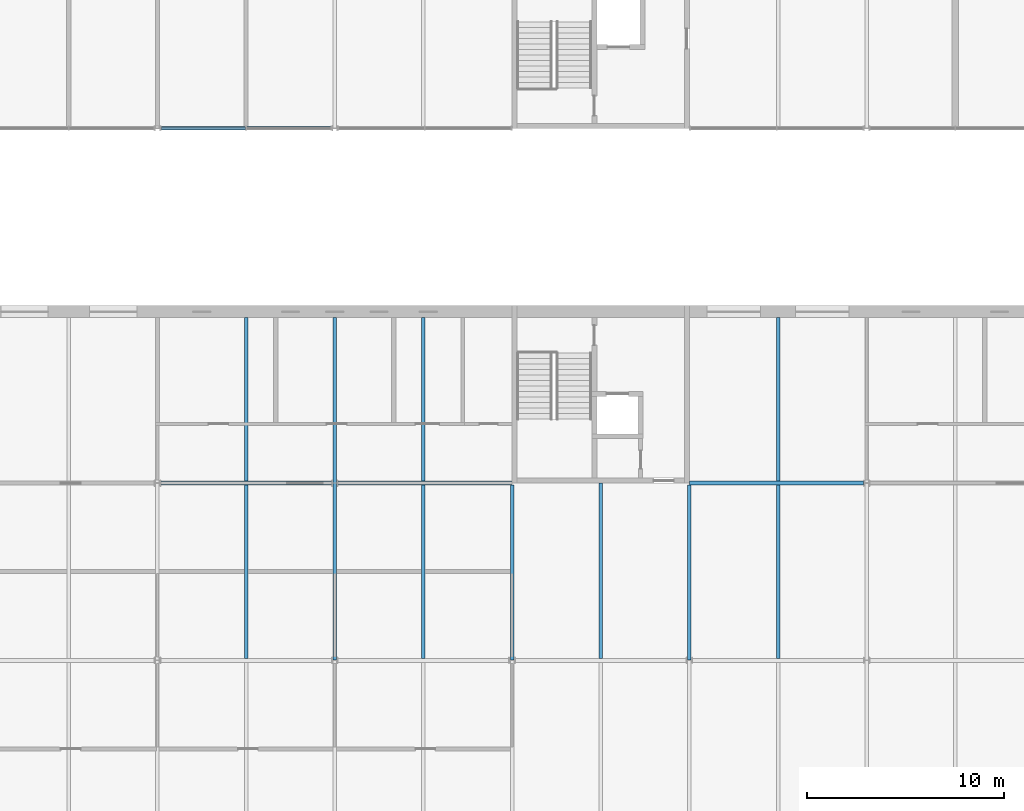
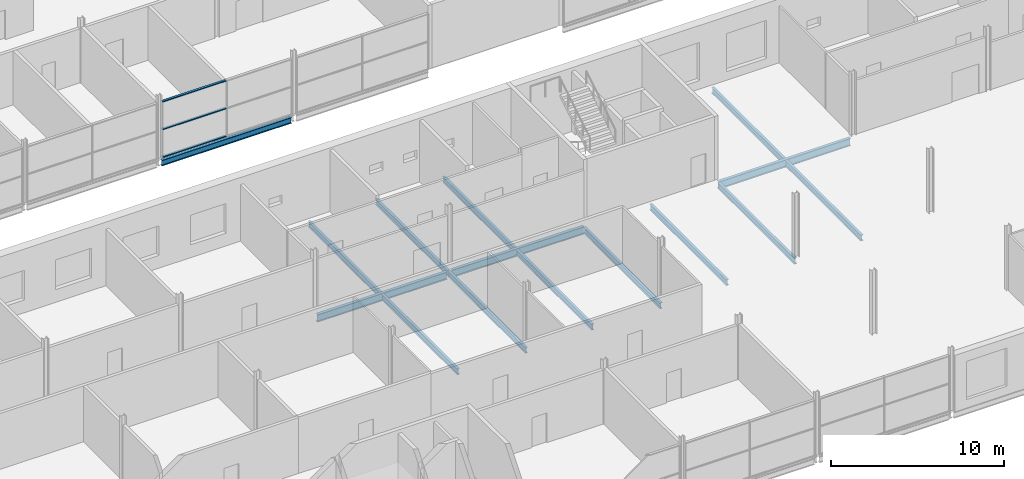
# One storey, part 44 of 97: 15 beams, 3 members, 1 element without a shape of its own.
"""IFC4 building model written with IfcOpenShell, lengths in metres."""

from ifc_helpers import new_model, si_unit, direction, frame, origin, origin_2d, place, context, subcontext, project, spatial, rectangle, i_section, extrude, material, layer, layer_set, material_profile, profile_set, type_object, element, aggregate, save


model = new_model("IFC4")

# Units and contexts
model_context = context("Model", 3, precision=1e-05, world=origin(), true_north=direction((0.0, 1.0)))
body_context = subcontext(model_context, "Body", "Model", "MODEL_VIEW")
ifc_project = project(units=[si_unit("LENGTHUNIT", "METRE"), si_unit("AREAUNIT", "SQUARE_METRE"), si_unit("VOLUMEUNIT", "CUBIC_METRE"), si_unit("PLANEANGLEUNIT", "RADIAN"), si_unit("MASSUNIT", "GRAM", prefix="KILO")], contexts=[model_context])

# Site, building, storey
site_placement = place(None, origin())
site = spatial("IfcSite", under=ifc_project, at=site_placement, CompositionType="ELEMENT")
building_placement = place(site_placement, origin())
building = spatial("IfcBuilding", under=site, at=building_placement, Name="Corbel Yard City Hall", CompositionType="ELEMENT")
storey_placement = place(building_placement, frame((0.0, 0.0, 6.0)))
storey = spatial("IfcBuildingStorey", under=building, at=storey_placement, Name="L01", CompositionType="ELEMENT", Elevation=6.0)

# Beams
ifc_material_1 = material(Name="Steel Grade 300 (300 MPa yield)", Category="steel")
ifc_material_profile_1 = material_profile(ifc_material_1, i_section(OverallWidth=0.177978515625, OverallDepth=0.403076171875, WebThickness=0.007568359375, FlangeThickness=0.010986328125, at=origin_2d()), Name="410UB53.7")
ifc_profile_set_1 = profile_set([ifc_material_profile_1], Name="Steel Grade 300 (300 MPa yield)")
beam_type_1 = type_object("IfcBeamType", Name="Beam 410UB53.7", PredefinedType="BEAM", material=ifc_profile_set_1)
beam_1_placement = place(storey_placement, frame((72.0, 63.0078125, -0.3515625), z_axis=(0.0, 1.0, 0.0), x_axis=(-1.0, 0.0, 0.0)))
element("IfcBeam", 1, at=beam_1_placement, inside=storey, type_object=beam_type_1, Name="Beam 410UB53.7 SB6 L01floor", PredefinedType="BEAM", context=body_context, shape_type="SweptSolid", body=[
    extrude(i_section(OverallWidth=0.177978515625, OverallDepth=0.403076171875, WebThickness=0.007568359375, FlangeThickness=0.010986328125, at=origin_2d()), origin(), (0.0, 0.0, 1.0), 8.984375),
])
beam_2_placement = place(storey_placement, frame((72.0, 72.0078125, -0.3515625), z_axis=(0.0, 1.0, 0.0), x_axis=(-1.0, 0.0, 0.0)))
element("IfcBeam", 2, at=beam_2_placement, inside=storey, type_object=beam_type_1, Name="Beam 410UB53.7 SB6 L01floor", PredefinedType="BEAM", context=body_context, shape_type="SweptSolid", body=[
    extrude(i_section(OverallWidth=0.177978515625, OverallDepth=0.403076171875, WebThickness=0.007568359375, FlangeThickness=0.010986328125, at=origin_2d()), origin(), (0.0, 0.0, 1.0), 8.39208984375),
])
for number, where, z_axis, x_axis, name in (
    (3, (81.0, 63.0078125, -0.3515625), (0.0, 1.0, 0.0), (-1.0, 0.0, 0.0), "Beam 410UB53.7 SB6 L01floor"),
    (4, (90.0, 63.0078125, -0.3515625), (0.0, 1.0, 0.0), (-1.0, 0.0, 0.0), "Beam 410UB53.7 SB6 L01floor"),
):
    element("IfcBeam", number, at=place(storey_placement, frame(where, z_axis=z_axis, x_axis=x_axis)), inside=storey, type_object=beam_type_1, Name=name, PredefinedType="BEAM", context=body_context, shape_type="SweptSolid", body=[
        extrude(i_section(OverallWidth=0.177978515625, OverallDepth=0.403076171875, WebThickness=0.007568359375, FlangeThickness=0.010986328125, at=origin_2d()), origin(), (0.0, 0.0, 1.0), 8.8876953125),
    ])
ifc_material_profile_2 = material_profile(ifc_material_1, i_section(OverallWidth=0.177978515625, OverallDepth=0.406005859375, WebThickness=0.0078125, FlangeThickness=0.0126953125, at=origin_2d()), Name="410UB59.7")
ifc_profile_set_2 = profile_set([ifc_material_profile_2], Name="Steel Grade 300 (300 MPa yield)")
beam_type_2 = type_object("IfcBeamType", Name="Edge beam 410UB59.7", PredefinedType="BEAM", material=ifc_profile_set_2)
beam_3_placement = place(storey_placement, frame((63.157470703125, 90.0, -0.35302734375), z_axis=(1.0, 0.0, 0.0), x_axis=(0.0, 1.0, 0.0)))
element("IfcBeam", 5, at=beam_3_placement, inside=storey, type_object=beam_type_2, Name="Edge beam 410UB59.7 EB2 L01floor", PredefinedType="BEAM", context=body_context, shape_type="SweptSolid", body=[
    extrude(i_section(OverallWidth=0.177978515625, OverallDepth=0.406005859375, WebThickness=0.0078125, FlangeThickness=0.0126953125, at=origin_2d()), origin(), (0.0, 0.0, 1.0), 8.68505859375),
])
ifc_material_profile_3 = material_profile(ifc_material_1, i_section(OverallWidth=0.208984375, OverallDepth=0.528076171875, WebThickness=0.009521484375, FlangeThickness=0.01318359375, at=origin_2d()), Name="530UB82.0")
ifc_profile_set_3 = profile_set([ifc_material_profile_3], Name="Steel Grade 300 (300 MPa yield)")
beam_type_3 = type_object("IfcBeamType", Name="Girder 530UB82.0", PredefinedType="BEAM", material=ifc_profile_set_3)
beam_4_placement = place(storey_placement, frame((63.16357421875, 72.0, -0.4140625), z_axis=(1.0, 0.0, 0.0), x_axis=(0.0, 1.0, 0.0)))
element("IfcBeam", 6, at=beam_4_placement, inside=storey, type_object=beam_type_3, Name="Girder 530UB82.0 GB3 L01floor", PredefinedType="BEAM", context=body_context, shape_type="SweptSolid", body=[
    extrude(i_section(OverallWidth=0.208984375, OverallDepth=0.528076171875, WebThickness=0.009521484375, FlangeThickness=0.01318359375, at=origin_2d()), origin(), (0.0, 0.0, 1.0), 8.6728515625),
])
for number, where, z_axis, x_axis, name in (
    (7, (72.16357421875, 72.0, -0.4140625), (1.0, 0.0, 0.0), (0.0, 1.0, 0.0), "Girder 530UB82.0 GB3 L01floor"),
    (8, (90.0, 72.0, -0.4140625), (1.0, 0.0, 0.0), (0.0, 1.0, 0.0), "Girder 530UB82.0 GB3 L01floor"),
):
    element("IfcBeam", number, at=place(storey_placement, frame(where, z_axis=z_axis, x_axis=x_axis)), inside=storey, type_object=beam_type_3, Name=name, PredefinedType="BEAM", context=body_context, shape_type="SweptSolid", body=[
        extrude(i_section(OverallWidth=0.208984375, OverallDepth=0.528076171875, WebThickness=0.009521484375, FlangeThickness=0.01318359375, at=origin_2d()), origin(), (0.0, 0.0, 1.0), 8.83642578125),
    ])
ifc_material_profile_4 = material_profile(ifc_material_1, i_section(OverallWidth=0.177978515625, OverallDepth=0.403076171875, WebThickness=0.007568359375, FlangeThickness=0.010986328125, at=origin_2d()), Name="410UB53.7")
ifc_profile_set_4 = profile_set([ifc_material_profile_4], Name="Steel Grade 300 (300 MPa yield)")
beam_type_4 = type_object("IfcBeamType", Name="Secondary beam 410UB53.7", PredefinedType="JOIST", material=ifc_profile_set_4)
beam_5_placement = place(storey_placement, frame((67.5, 63.1044921875, -0.3515625), z_axis=(0.0, 1.0, 0.0), x_axis=(-1.0, 0.0, 0.0)))
element("IfcBeam", 9, at=beam_5_placement, inside=storey, type_object=beam_type_4, Name="Secondary beam 410UB53.7 SB5 L01floor", PredefinedType="JOIST", context=body_context, shape_type="SweptSolid", body=[
    extrude(i_section(OverallWidth=0.177978515625, OverallDepth=0.403076171875, WebThickness=0.007568359375, FlangeThickness=0.010986328125, at=origin_2d()), origin(), (0.0, 0.0, 1.0), 8.791015625),
])
beam_6_placement = place(storey_placement, frame((67.5, 72.1044921875, -0.3515625), z_axis=(0.0, 1.0, 0.0), x_axis=(-1.0, 0.0, 0.0)))
element("IfcBeam", 10, at=beam_6_placement, inside=storey, type_object=beam_type_4, Name="Secondary beam 410UB53.7 SB5 L01floor", PredefinedType="JOIST", context=body_context, shape_type="SweptSolid", body=[
    extrude(i_section(OverallWidth=0.177978515625, OverallDepth=0.403076171875, WebThickness=0.007568359375, FlangeThickness=0.010986328125, at=origin_2d()), origin(), (0.0, 0.0, 1.0), 8.29541015625),
])
beam_7_placement = place(storey_placement, frame((76.5, 63.1044921875, -0.3515625), z_axis=(0.0, 1.0, 0.0), x_axis=(-1.0, 0.0, 0.0)))
element("IfcBeam", 11, at=beam_7_placement, inside=storey, type_object=beam_type_4, Name="Secondary beam 410UB53.7 SB5 L01floor", PredefinedType="JOIST", context=body_context, shape_type="SweptSolid", body=[
    extrude(i_section(OverallWidth=0.177978515625, OverallDepth=0.403076171875, WebThickness=0.007568359375, FlangeThickness=0.010986328125, at=origin_2d()), origin(), (0.0, 0.0, 1.0), 8.791015625),
])
beam_8_placement = place(storey_placement, frame((76.5, 72.1044921875, -0.3515625), z_axis=(0.0, 1.0, 0.0), x_axis=(-1.0, 0.0, 0.0)))
element("IfcBeam", 12, at=beam_8_placement, inside=storey, type_object=beam_type_4, Name="Secondary beam 410UB53.7 SB5 L01floor", PredefinedType="JOIST", context=body_context, shape_type="SweptSolid", body=[
    extrude(i_section(OverallWidth=0.177978515625, OverallDepth=0.403076171875, WebThickness=0.007568359375, FlangeThickness=0.010986328125, at=origin_2d()), origin(), (0.0, 0.0, 1.0), 8.29541015625),
])
beam_9_placement = place(storey_placement, frame((85.5, 63.1044921875, -0.3515625), z_axis=(0.0, 1.0, 0.0), x_axis=(-1.0, 0.0, 0.0)))
element("IfcBeam", 13, at=beam_9_placement, inside=storey, type_object=beam_type_4, Name="Secondary beam 410UB53.7 SB5 L01floor", PredefinedType="JOIST", context=body_context, shape_type="SweptSolid", body=[
    extrude(i_section(OverallWidth=0.177978515625, OverallDepth=0.403076171875, WebThickness=0.007568359375, FlangeThickness=0.010986328125, at=origin_2d()), origin(), (0.0, 0.0, 1.0), 8.8955078125),
])
beam_10_placement = place(storey_placement, frame((94.5, 63.1044921875, -0.3515625), z_axis=(0.0, 1.0, 0.0), x_axis=(-1.0, 0.0, 0.0)))
element("IfcBeam", 14, at=beam_10_placement, inside=storey, type_object=beam_type_4, Name="Secondary beam 410UB53.7 SB5 L01floor", PredefinedType="JOIST", context=body_context, shape_type="SweptSolid", body=[
    extrude(i_section(OverallWidth=0.177978515625, OverallDepth=0.403076171875, WebThickness=0.007568359375, FlangeThickness=0.010986328125, at=origin_2d()), origin(), (0.0, 0.0, 1.0), 8.791015625),
])
beam_11_placement = place(storey_placement, frame((94.5, 72.1044921875, -0.3515625), z_axis=(0.0, 1.0, 0.0), x_axis=(-1.0, 0.0, 0.0)))
element("IfcBeam", 15, at=beam_11_placement, inside=storey, type_object=beam_type_4, Name="Secondary beam 410UB53.7 SB5 L01floor", PredefinedType="JOIST", context=body_context, shape_type="SweptSolid", body=[
    extrude(i_section(OverallWidth=0.177978515625, OverallDepth=0.403076171875, WebThickness=0.007568359375, FlangeThickness=0.010986328125, at=origin_2d()), origin(), (0.0, 0.0, 1.0), 8.29541015625),
])

# Curtain wall, members
ifc_material_2 = material(Name="Aluminium extrusion", Category="aluminium")
ifc_layer = layer(ifc_material_2, 0.199951171875)
ifc_layer_set = layer_set([ifc_layer], Name="Aluminium extrusion")
curtain_wall_type = type_object("IfcCurtainWallType", Name="CW1", PredefinedType="USERDEFINED", material=ifc_layer_set)
curtain_wall_placement = place(storey_placement, origin())
curtain_wall = element("IfcCurtainWall", 16, at=curtain_wall_placement, inside=storey, type_object=curtain_wall_type, Name="Curtain wall CW1 L01", ObjectType="CURTAIN WALL", PredefinedType="USERDEFINED")
ifc_material_profile_5 = material_profile(ifc_material_2, rectangle(XDim=0.14990234375, YDim=0.06494140625, at=origin_2d()), Name="150x65")
ifc_profile_set_5 = profile_set([ifc_material_profile_5], Name="Aluminium extrusion")
member_type = type_object("IfcMemberType", Name="TR1", PredefinedType="USERDEFINED", material=ifc_profile_set_5)
member_1_placement = place(storey_placement, frame((63.195068359375, 90.0, 0.032470703125), z_axis=(1.0, 0.0, 0.0), x_axis=(0.0, 1.0, 0.0)))
member_1 = element("IfcMember", 17, at=member_1_placement, type_object=member_type, Name="CW1 transom 1.1", ObjectType="TRANSOM", PredefinedType="USERDEFINED", context=body_context, shape_type="SweptSolid", body=[
    extrude(rectangle(XDim=0.14990234375, YDim=0.06494140625, at=origin_2d()), origin(), (0.0, 0.0, 1.0), 4.2724609375),
])
member_2_placement = place(storey_placement, frame((63.195068359375, 90.0, 1.99560546875), z_axis=(1.0, 0.0, 0.0), x_axis=(0.0, 1.0, 0.0)))
member_2 = element("IfcMember", 18, at=member_2_placement, type_object=member_type, Name="CW1 transom 1.2", ObjectType="TRANSOM", PredefinedType="USERDEFINED", context=body_context, shape_type="SweptSolid", body=[
    extrude(rectangle(XDim=0.14990234375, YDim=0.06494140625, at=origin_2d()), origin(), (0.0, 0.0, 1.0), 4.2724609375),
])
member_3_placement = place(storey_placement, frame((63.195068359375, 90.0, 3.95849609375), z_axis=(1.0, 0.0, 0.0), x_axis=(0.0, 1.0, 0.0)))
member_3 = element("IfcMember", 19, at=member_3_placement, type_object=member_type, Name="CW1 transom 1.3", ObjectType="TRANSOM", PredefinedType="USERDEFINED", context=body_context, shape_type="SweptSolid", body=[
    extrude(rectangle(XDim=0.14990234375, YDim=0.06494140625, at=origin_2d()), origin(), (0.0, 0.0, 1.0), 4.2724609375),
])
aggregate(curtain_wall, [member_1, member_2, member_3])

save(model, "model.ifc")
